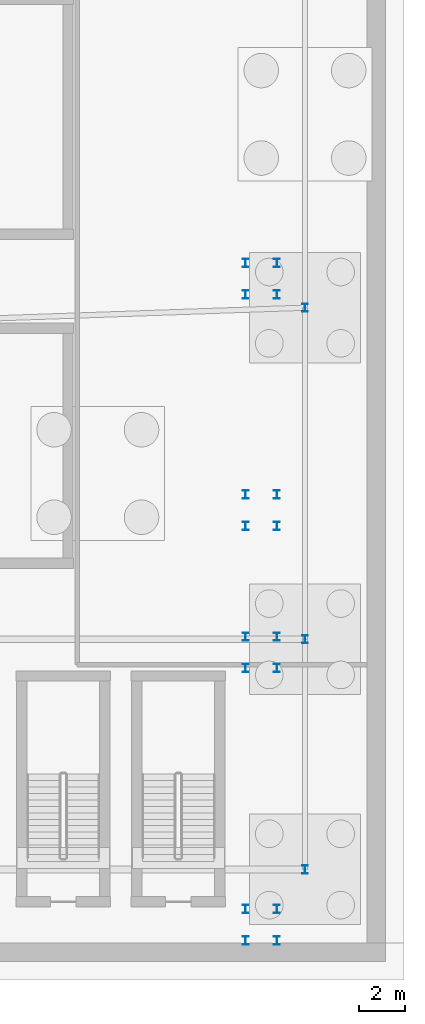
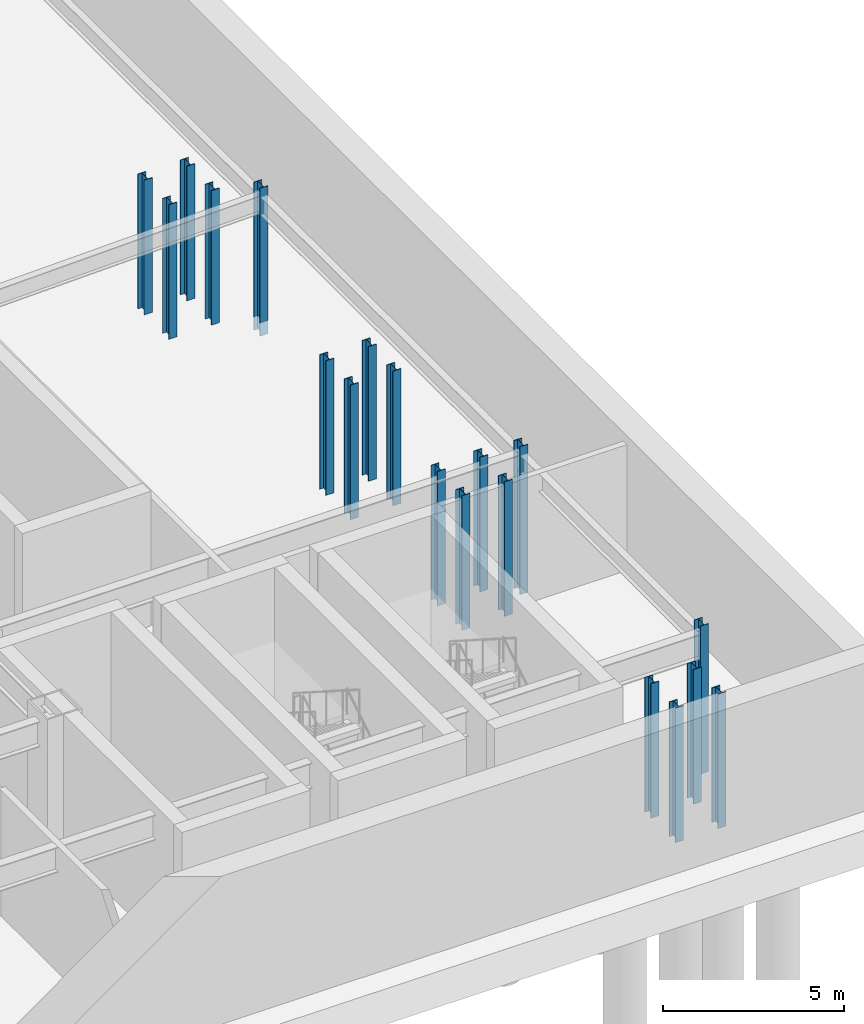
# One storey, part 7 of 17: 19 columns.
"""IFC4 building model written with IfcOpenShell, lengths in metres."""

from ifc_helpers import new_model, si_unit, derived_unit, direction, frame, origin, origin_2d, place, context, subcontext, project, spatial, i_section, extrude, source, transform, mapped, material, material_profile, profile_set, type_object, element, save


model = new_model("IFC4")

# Units and contexts
model_context = context("Model", 3, precision=1e-05, world=origin(), true_north=direction((0.0, 1.0)))
body_context = subcontext(model_context, "Body", "Model", "MODEL_VIEW")
ifc_project = project(units=[si_unit("LENGTHUNIT", "METRE"), si_unit("AREAUNIT", "SQUARE_METRE"), si_unit("VOLUMEUNIT", "CUBIC_METRE"), si_unit("PLANEANGLEUNIT", "RADIAN"), si_unit("MASSUNIT", "GRAM", prefix="KILO"), derived_unit("THERMALTRANSMITTANCEUNIT", [(si_unit("POWERUNIT", "WATT"), 1), (si_unit("LENGTHUNIT", "METRE"), -2), (si_unit("THERMODYNAMICTEMPERATUREUNIT", "KELVIN"), -1)])], contexts=[model_context])

# Site, building, storey
site_placement = place(None, origin())
site = spatial("IfcSite", under=ifc_project, at=site_placement, CompositionType="ELEMENT")
building_placement = place(site_placement, origin())
building = spatial("IfcBuilding", under=site, at=building_placement, Name="Skarnbrae Concourse Arena and Tower", CompositionType="ELEMENT")
storey_placement = place(building_placement, frame((0.0, 0.0, -10.0)))
storey = spatial("IfcBuildingStorey", under=building, at=storey_placement, Name="B02", CompositionType="ELEMENT", Elevation=-10.0)

# Columns
ifc_material = material(Name="Steel CSA G40.21 350W", Category="steel")
ifc_material_profile = material_profile(ifc_material, i_section(OverallWidth=0.257080078125, OverallDepth=0.363037109375, WebThickness=0.012939453125, FlangeThickness=0.021728515625, at=origin_2d()), Name="W360X122")
ifc_profile_set = profile_set([ifc_material_profile], Name="Steel CSA G40.21 350W")
column_type = type_object("IfcColumnType", Name="COL-POD-W360X122", PredefinedType="COLUMN", material=ifc_profile_set)
shared_shape_1 = source(origin(), body_context, "Body", "SweptSolid", [
    extrude(i_section(OverallWidth=0.257080078125, OverallDepth=0.363037109375, WebThickness=0.012939453125, FlangeThickness=0.021728515625, at=origin_2d()), origin(), (0.0, 0.0, 1.0), 5.0),
])
for number, where, z_axis, x_axis, name in (
    (1, (78.5, 4.0, 0.0), (0.0, 0.0, 1.0), (1.0, 0.0, 0.0), "B02 Podium mega-column PC-EP1"),
    (2, (78.5, 14.0, 0.0), (0.0, 0.0, 1.0), (1.0, 0.0, 0.0), "B02 Podium mega-column PC-EP2"),
    (3, (78.5, 28.39990234375, 0.0), (0.0, 0.0, 1.0), (1.0, 0.0, 0.0), "B02 Podium mega-column PC-EP3"),
):
    element("IfcColumn", number, at=place(storey_placement, frame(where, z_axis=z_axis, x_axis=x_axis)), inside=storey, type_object=column_type, Name=name, PredefinedType="COLUMN", context=body_context, shape_type="MappedRepresentation", body=[
        mapped(shared_shape_1, transform((0.0, 0.0, 0.0))),
    ])
shared_shape_2 = source(origin(), body_context, "Body", "SweptSolid", [
    extrude(i_section(OverallWidth=0.257080078125, OverallDepth=0.363037109375, WebThickness=0.012939453125, FlangeThickness=0.021728515625, at=origin_2d()), origin(), (0.0, 0.0, 1.0), 4.550048828125),
])
for number, where, z_axis, x_axis, name in (
    (4, (75.919921875, 0.919921875, 0.449951171875), (0.0, 0.0, 1.0), (1.0, 0.0, 0.0), "B02 Concourse stair ST-CONC-1-L00 BOT post 11"),
    (5, (75.919921875, 2.280029296875, 0.449951171875), (0.0, 0.0, 1.0), (1.0, 0.0, 0.0), "B02 Concourse stair ST-CONC-1-L00 BOT post 12"),
    (6, (77.280029296875, 0.919921875, 0.449951171875), (0.0, 0.0, 1.0), (1.0, 0.0, 0.0), "B02 Concourse stair ST-CONC-1-L00 BOT post 21"),
    (7, (77.280029296875, 2.280029296875, 0.449951171875), (0.0, 0.0, 1.0), (1.0, 0.0, 0.0), "B02 Concourse stair ST-CONC-1-L00 BOT post 22"),
    (8, (75.919921875, 12.75, 0.449951171875), (0.0, 0.0, 1.0), (1.0, 0.0, 0.0), "B02 Concourse stair ST-CONC-1-L00 TOP post 11"),
    (9, (75.919921875, 14.110107421875, 0.449951171875), (0.0, 0.0, 1.0), (1.0, 0.0, 0.0), "B02 Concourse stair ST-CONC-1-L00 TOP post 12"),
    (10, (77.280029296875, 12.75, 0.449951171875), (0.0, 0.0, 1.0), (1.0, 0.0, 0.0), "B02 Concourse stair ST-CONC-1-L00 TOP post 21"),
    (11, (77.280029296875, 14.110107421875, 0.449951171875), (0.0, 0.0, 1.0), (1.0, 0.0, 0.0), "B02 Concourse stair ST-CONC-1-L00 TOP post 22"),
    (12, (75.919921875, 18.919921875, 0.449951171875), (0.0, 0.0, 1.0), (1.0, 0.0, 0.0), "B02 Concourse stair ST-CONC-1-L01 BOT post 11"),
    (13, (75.919921875, 20.280029296875, 0.449951171875), (0.0, 0.0, 1.0), (1.0, 0.0, 0.0), "B02 Concourse stair ST-CONC-1-L01 BOT post 12"),
    (14, (77.280029296875, 18.919921875, 0.449951171875), (0.0, 0.0, 1.0), (1.0, 0.0, 0.0), "B02 Concourse stair ST-CONC-1-L01 BOT post 21"),
    (15, (77.280029296875, 20.280029296875, 0.449951171875), (0.0, 0.0, 1.0), (1.0, 0.0, 0.0), "B02 Concourse stair ST-CONC-1-L01 BOT post 22"),
    (16, (75.919921875, 28.97998046875, 0.449951171875), (0.0, 0.0, 1.0), (1.0, 0.0, 0.0), "B02 Concourse stair ST-CONC-1-L01 TOP post 11"),
    (17, (75.919921875, 30.340087890625, 0.449951171875), (0.0, 0.0, 1.0), (1.0, 0.0, 0.0), "B02 Concourse stair ST-CONC-1-L01 TOP post 12"),
    (18, (77.280029296875, 28.97998046875, 0.449951171875), (0.0, 0.0, 1.0), (1.0, 0.0, 0.0), "B02 Concourse stair ST-CONC-1-L01 TOP post 21"),
    (19, (77.280029296875, 30.340087890625, 0.449951171875), (0.0, 0.0, 1.0), (1.0, 0.0, 0.0), "B02 Concourse stair ST-CONC-1-L01 TOP post 22"),
):
    element("IfcColumn", number, at=place(storey_placement, frame(where, z_axis=z_axis, x_axis=x_axis)), inside=storey, type_object=column_type, Name=name, PredefinedType="COLUMN", context=body_context, shape_type="MappedRepresentation", body=[
        mapped(shared_shape_2, transform((0.0, 0.0, 0.0))),
    ])

save(model, "model.ifc")
